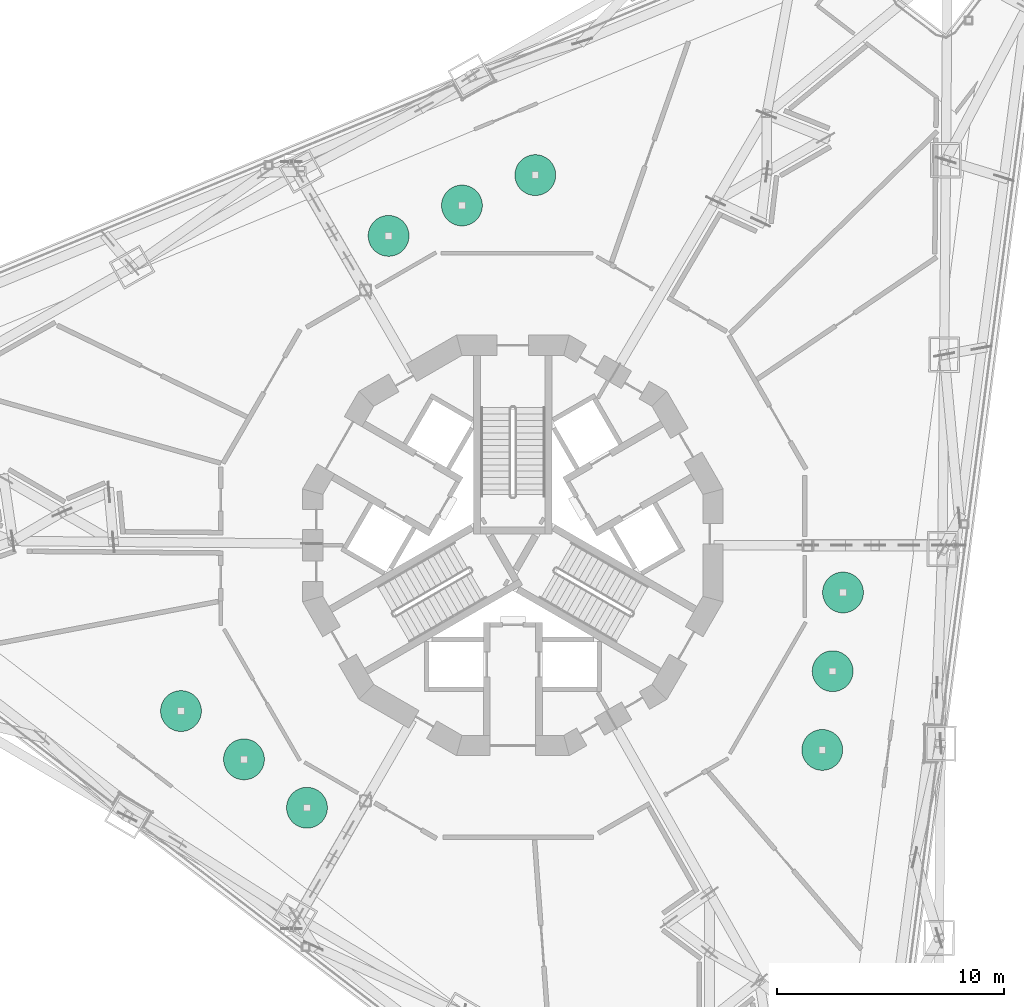
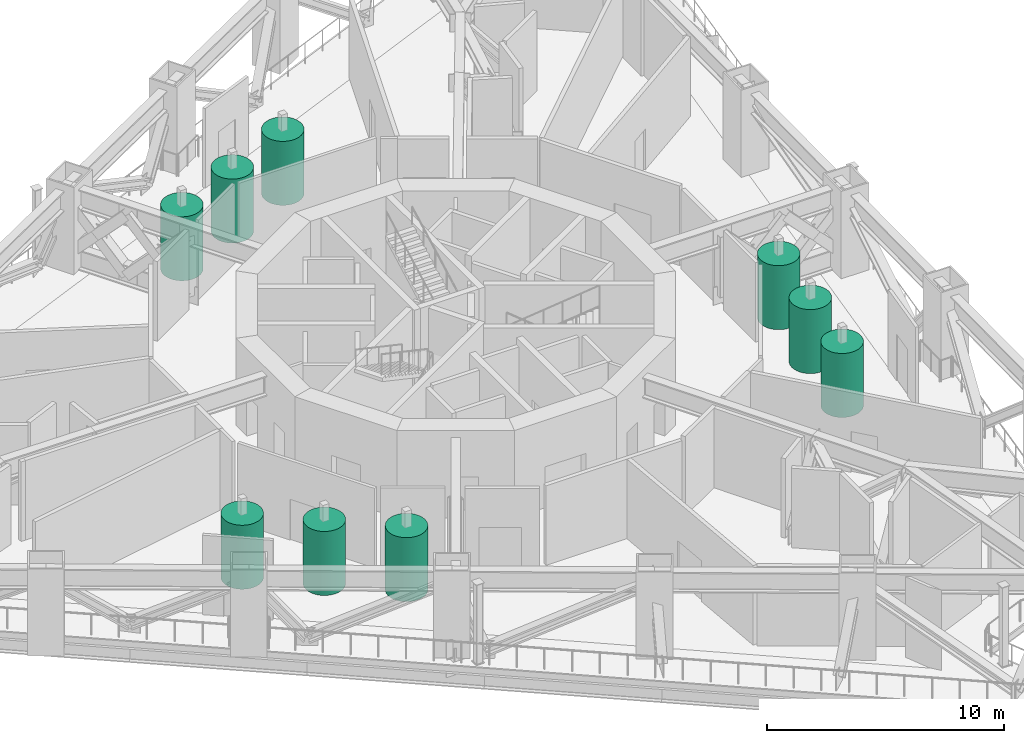
# One storey, part 23 of 23: 9 electric generators.
"""IFC4 building model written with IfcOpenShell, lengths in metres."""

from ifc_helpers import new_model, si_unit, direction, frame, origin, origin_2d, place, context, subcontext, project, spatial, circle, extrude, material, element, save


model = new_model("IFC4")

# Units and contexts
model_context = context("Model", 3, precision=1e-05, world=origin(), true_north=direction((0.0, 1.0)))
body_context = subcontext(model_context, "Body", "Model", "MODEL_VIEW")
ifc_project = project(units=[si_unit("LENGTHUNIT", "METRE"), si_unit("AREAUNIT", "SQUARE_METRE"), si_unit("VOLUMEUNIT", "CUBIC_METRE"), si_unit("PLANEANGLEUNIT", "RADIAN"), si_unit("MASSUNIT", "GRAM", prefix="KILO")], contexts=[model_context])

# Site, building, storey
site_placement = place(None, origin())
site = spatial("IfcSite", under=ifc_project, at=site_placement, CompositionType="ELEMENT")
building_placement = place(site_placement, origin())
building = spatial("IfcBuilding", under=site, at=building_placement, Name="Trine Commons Tower", CompositionType="ELEMENT")
storey_placement = place(building_placement, frame((0.0, 0.0, 156.60009765625)))
storey = spatial("IfcBuildingStorey", under=building, at=storey_placement, Name="L40", CompositionType="ELEMENT", Elevation=156.60009765625)

# Electric generators
ifc_material = material(Name="Anodised aluminium and composite turbine housing", Category="aluminium")
for number, where, z_axis, x_axis, name in (
    (1, (70.92529296875, 50.93603515625, 3.2998046875), (0.0, 0.0, -1.0), (1.0, 0.0, 0.0), "Turbine T1"),
    (2, (68.1484375, 53.066650390625, 3.2998046875), (0.0, 0.0, -1.0), (1.0, 0.0, 0.0), "Turbine T2"),
    (3, (65.371826171875, 55.197265625, 3.2998046875), (0.0, 0.0, -1.0), (1.0, 0.0, 0.0), "Turbine T3"),
    (4, (74.522705078125, 76.14111328125, 3.2998046875), (0.0, 0.0, -1.0), (1.0, 0.0, 0.0), "Turbine T4"),
    (5, (77.756103515625, 77.48046875, 3.2998046875), (0.0, 0.0, -1.0), (1.0, 0.0, 0.0), "Turbine T5"),
    (6, (80.98974609375, 78.819580078125, 3.2998046875), (0.0, 0.0, -1.0), (1.0, 0.0, 0.0), "Turbine T6"),
    (7, (94.552001953125, 60.423095703125, 3.2998046875), (0.0, 0.0, -1.0), (1.0, 0.0, 0.0), "Turbine T7"),
    (8, (94.09521484375, 56.952880859375, 3.2998046875), (0.0, 0.0, -1.0), (1.0, 0.0, 0.0), "Turbine T8"),
    (9, (93.638427734375, 53.48291015625, 3.2998046875), (0.0, 0.0, -1.0), (1.0, 0.0, 0.0), "Turbine T9"),
):
    element("IfcElectricGenerator", number, at=place(storey_placement, frame(where, z_axis=z_axis, x_axis=x_axis)), inside=storey, material=ifc_material, Name=name, ObjectType="WIND TURBINE", PredefinedType="USERDEFINED", context=body_context, shape_type="SweptSolid", body=[
        extrude(circle(Radius=0.89990234375, at=origin_2d()), origin(), (0.0, 0.0, 1.0), 3.300048828125),
    ])

save(model, "model.ifc")
